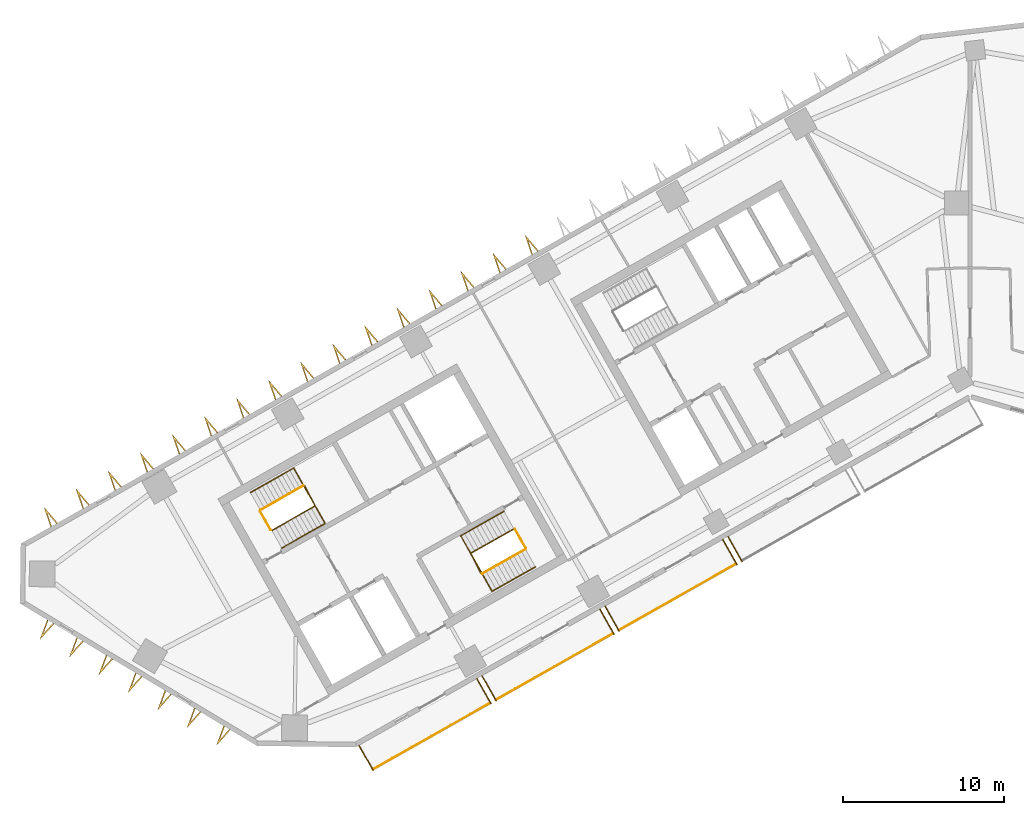
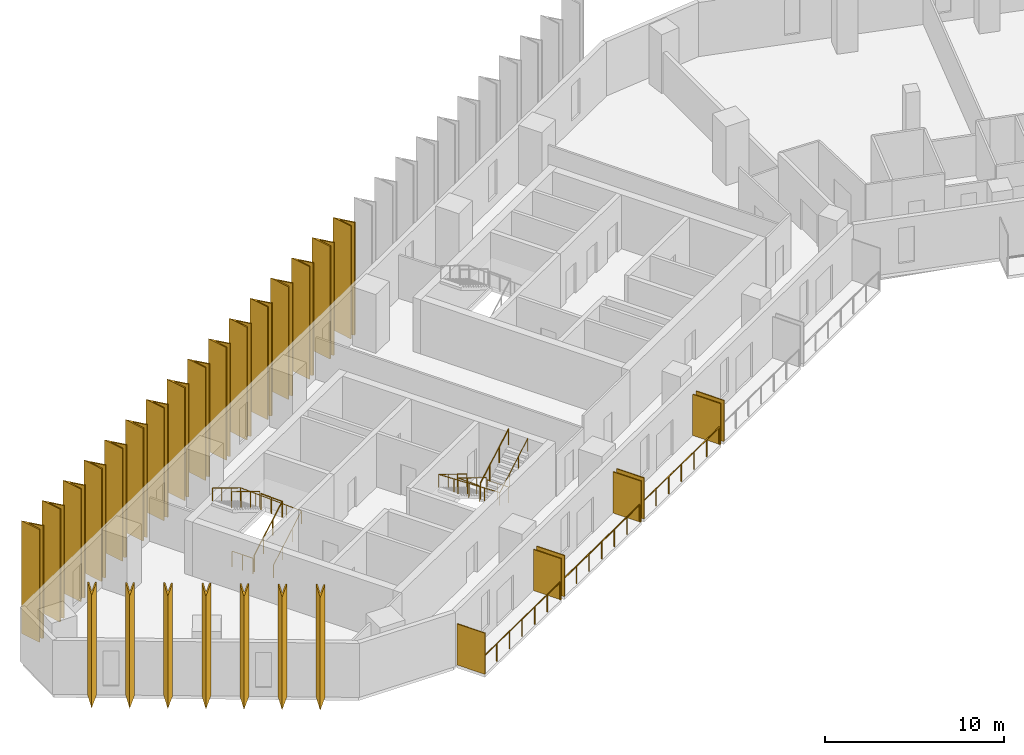
# One storey, part 8 of 10: 30 shading devices, 11 railings.
"""IFC4 building model written with IfcOpenShell, lengths in metres."""

from ifc_helpers import new_model, si_unit, direction, frame, origin, origin_2d, place, context, subcontext, project, spatial, polyline, rectangle, circle, outline, extrude, material, layer, layer_set, type_object, element, save


model = new_model("IFC4")

# Units and contexts
model_context = context("Model", 3, precision=1e-05, world=origin(), true_north=direction((0.0, 1.0)))
body_context = subcontext(model_context, "Body", "Model", "MODEL_VIEW")
ifc_project = project(units=[si_unit("LENGTHUNIT", "METRE"), si_unit("AREAUNIT", "SQUARE_METRE"), si_unit("VOLUMEUNIT", "CUBIC_METRE"), si_unit("PLANEANGLEUNIT", "RADIAN"), si_unit("MASSUNIT", "GRAM", prefix="KILO")], contexts=[model_context])

# Site, building, storey
site_placement = place(None, origin())
site = spatial("IfcSite", under=ifc_project, at=site_placement, CompositionType="ELEMENT")
building_placement = place(site_placement, origin())
building = spatial("IfcBuilding", under=site, at=building_placement, Name="Binnacle Exchange Tower", CompositionType="ELEMENT")
storey_placement = place(building_placement, frame((0.0, 0.0, 162.89990234375)))
storey = spatial("IfcBuildingStorey", under=building, at=storey_placement, Name="L34", CompositionType="ELEMENT", Elevation=162.89990234375)

# Railings
ifc_material_1 = material(Name="Bronze anodised aluminium frame", Category="aluminium")
railing_type_1 = type_object("IfcRailingType", Name="GUARD 1200", PredefinedType="GUARDRAIL", material=ifc_material_1)
railing_1_placement = place(storey_placement, frame((-36.994140625, 24.921142578125, 0.0)))
element("IfcRailing", 1, at=railing_1_placement, inside=storey, type_object=railing_type_1, Name="Balcony guard G01-B00 L34", PredefinedType="GUARDRAIL", context=body_context, shape_type="SweptSolid", body=[
    extrude(circle(Radius=0.02392578125, at=origin_2d()), frame((0.0, 0.0, 1.17578125), z_axis=(0.8703461643, 0.49244040684, 0.0), x_axis=(-0.49244040684, 0.8703461643, 0.0)), (0.0, 0.0, 1.0), 8.33447265625),
    extrude(circle(Radius=0.02099609375, at=origin_2d()), origin(), (0.0, 0.0, 1.0), 1.15185546875),
    extrude(circle(Radius=0.02099609375, at=origin_2d()), frame((1.208984375, 0.68408203125, 0.0)), (0.0, 0.0, 1.0), 1.15185546875),
    extrude(circle(Radius=0.02099609375, at=origin_2d()), frame((2.41796875, 1.3681640625, 0.0)), (0.0, 0.0, 1.0), 1.15185546875),
    extrude(circle(Radius=0.02099609375, at=origin_2d()), frame((3.626953125, 2.05224609375, 0.0)), (0.0, 0.0, 1.0), 1.15185546875),
    extrude(circle(Radius=0.02099609375, at=origin_2d()), frame((4.8359375, 2.736083984375, 0.0)), (0.0, 0.0, 1.0), 1.15185546875),
    extrude(circle(Radius=0.02099609375, at=origin_2d()), frame((6.044921875, 3.420166015625, 0.0)), (0.0, 0.0, 1.0), 1.15185546875),
    extrude(circle(Radius=0.02099609375, at=origin_2d()), frame((7.25390625, 4.104248046875, 0.0)), (0.0, 0.0, 1.0), 1.15185546875),
])
railing_2_placement = place(storey_placement, frame((-29.374755859375, 29.232177734375, 0.0)))
element("IfcRailing", 2, at=railing_2_placement, inside=storey, type_object=railing_type_1, Name="Balcony guard G01-B01 L34", PredefinedType="GUARDRAIL", context=body_context, shape_type="SweptSolid", body=[
    extrude(circle(Radius=0.02392578125, at=origin_2d()), frame((0.0, 0.0, 1.17578125), z_axis=(0.870365821494, 0.492405662818, 0.0), x_axis=(-0.492405662818, 0.870365821494, 0.0)), (0.0, 0.0, 1.0), 8.334716796875),
    extrude(circle(Radius=0.02099609375, at=origin_2d()), origin(), (0.0, 0.0, 1.0), 1.15185546875),
    extrude(circle(Radius=0.02099609375, at=origin_2d()), frame((1.208984375, 0.68408203125, 0.0)), (0.0, 0.0, 1.0), 1.15185546875),
    extrude(circle(Radius=0.02099609375, at=origin_2d()), frame((2.41796875, 1.367919921875, 0.0)), (0.0, 0.0, 1.0), 1.15185546875),
    extrude(circle(Radius=0.02099609375, at=origin_2d()), frame((3.626953125, 2.052001953125, 0.0)), (0.0, 0.0, 1.0), 1.15185546875),
    extrude(circle(Radius=0.02099609375, at=origin_2d()), frame((4.836181640625, 2.736083984375, 0.0)), (0.0, 0.0, 1.0), 1.15185546875),
    extrude(circle(Radius=0.02099609375, at=origin_2d()), frame((6.045166015625, 3.419921875, 0.0)), (0.0, 0.0, 1.0), 1.15185546875),
    extrude(circle(Radius=0.02099609375, at=origin_2d()), frame((7.254150390625, 4.10400390625, 0.0)), (0.0, 0.0, 1.0), 1.15185546875),
])
railing_3_placement = place(storey_placement, frame((-21.7548828125, 33.54296875, 0.0)))
element("IfcRailing", 3, at=railing_3_placement, inside=storey, type_object=railing_type_1, Name="Balcony guard G01-B02 L34", PredefinedType="GUARDRAIL", context=body_context, shape_type="SweptSolid", body=[
    extrude(circle(Radius=0.02392578125, at=origin_2d()), frame((0.0, 0.0, 1.17578125), z_axis=(0.870339060608, 0.492452961795, 0.0), x_axis=(-0.492452961795, 0.870339060608, 0.0)), (0.0, 0.0, 1.0), 8.334228515625),
    extrude(circle(Radius=0.02099609375, at=origin_2d()), origin(), (0.0, 0.0, 1.0), 1.15185546875),
    extrude(circle(Radius=0.02099609375, at=origin_2d()), frame((1.208984375, 0.68408203125, 0.0)), (0.0, 0.0, 1.0), 1.15185546875),
    extrude(circle(Radius=0.02099609375, at=origin_2d()), frame((2.41796875, 1.3681640625, 0.0)), (0.0, 0.0, 1.0), 1.15185546875),
    extrude(circle(Radius=0.02099609375, at=origin_2d()), frame((3.626953125, 2.05224609375, 0.0)), (0.0, 0.0, 1.0), 1.15185546875),
    extrude(circle(Radius=0.02099609375, at=origin_2d()), frame((4.835693359375, 2.736083984375, 0.0)), (0.0, 0.0, 1.0), 1.15185546875),
    extrude(circle(Radius=0.02099609375, at=origin_2d()), frame((6.044677734375, 3.420166015625, 0.0)), (0.0, 0.0, 1.0), 1.15185546875),
    extrude(circle(Radius=0.02099609375, at=origin_2d()), frame((7.253662109375, 4.104248046875, 0.0)), (0.0, 0.0, 1.0), 1.15185546875),
])

# Shading devices
ifc_material_2 = material(Name="Bronze aluminium louvre", Category="aluminium")
ifc_layer = layer(ifc_material_2, 0.06005859375)
ifc_layer_set = layer_set([ifc_layer], Name="PLANTED SCREEN 60x2800")
shading_device_type_1 = type_object("IfcShadingDeviceType", Name="PLANTED SCREEN 60x2800", PredefinedType="USERDEFINED", material=ifc_layer_set)
for number, where, z_axis, x_axis, name in (
    (4, (-37.424072265625, 25.6201171875, 0.0), (0.0, 0.0, 1.0), (0.87035569594, 0.492423560103, 0.0), "Planted screen G01-B00a L34"),
    (5, (-30.117919921875, 29.753662109375, 0.0), (0.0, 0.0, 1.0), (0.87035569594, 0.492423560103, 0.0), "Planted screen G01-B00b L34"),
    (6, (-29.8046875, 29.930908203125, 0.0), (0.0, 0.0, 1.0), (0.87035569594, 0.492423560103, 0.0), "Planted screen G01-B01a L34"),
    (7, (-22.498291015625, 34.064697265625, 0.0), (0.0, 0.0, 1.0), (0.87035569594, 0.492423560103, 0.0), "Planted screen G01-B01b L34"),
    (8, (-22.184814453125, 34.241943359375, 0.0), (0.0, 0.0, 1.0), (0.87035569594, 0.492423560103, 0.0), "Planted screen G01-B02a L34"),
    (9, (-14.878662109375, 38.37548828125, 0.0), (0.0, 0.0, 1.0), (0.87035569594, 0.492423560103, 0.0), "Planted screen G01-B02b L34"),
    (10, (-14.5654296875, 38.552978515625, 0.0), (0.0, 0.0, 1.0), (0.87035569594, 0.492423560103, 0.0), "Planted screen G01-B03a L34"),
):
    element("IfcShadingDevice", number, at=place(storey_placement, frame(where, z_axis=z_axis, x_axis=x_axis)), inside=storey, type_object=shading_device_type_1, Name=name, ObjectType="SCREEN", PredefinedType="USERDEFINED", context=body_context, shape_type="SweptSolid", body=[
        extrude(rectangle(XDim=0.06005859375, YDim=1.800048828125, at=origin_2d()), origin(), (0.0, 0.0, 1.0), 2.800048828125),
    ])

# Railings
ifc_material_3 = material(Name="Steel guard rail", Category="steel")
railing_type_2 = type_object("IfcRailingType", Name="STAIR GUARD 1100", PredefinedType="GUARDRAIL", material=ifc_material_3)
railing_4_placement = place(storey_placement, frame((-43.26171875, 39.71728515625, 0.166748046875)))
element("IfcRailing", 11, at=railing_4_placement, inside=storey, type_object=railing_type_2, Name="L34 STA1 stair guard 1", PredefinedType="GUARDRAIL", context=body_context, shape_type="SweptSolid", body=[
    extrude(circle(Radius=0.02392578125, at=origin_2d()), frame((0.0, 0.0, 1.076171875), z_axis=(0.747900833971, 0.423129324283, 0.511474258861), x_axis=(-0.492412445098, 0.870361984414, 0.0)), (0.0, 0.0, 1.0), 3.584228515625),
    extrude(circle(Radius=0.02392578125, at=origin_2d()), frame((2.6806640625, 1.5166015625, 2.9091796875), z_axis=(-0.461100321709, 0.887348011391, 0.0), x_axis=(-0.887348011391, -0.461100321709, 0.0)), (0.0, 0.0, 1.0), 1.40087890625),
    extrude(circle(Radius=0.02099609375, at=origin_2d()), origin(), (0.0, 0.0, 1.0), 1.052001953125),
    extrude(circle(Radius=0.02099609375, at=origin_2d()), frame((0.8935546875, 0.505615234375, 0.611083984375)), (0.0, 0.0, 1.0), 1.052001953125),
    extrude(circle(Radius=0.02099609375, at=origin_2d()), frame((1.787109375, 1.010986328125, 1.22216796875)), (0.0, 0.0, 1.0), 1.052001953125),
    extrude(circle(Radius=0.02099609375, at=origin_2d()), frame((2.6806640625, 1.5166015625, 1.833251953125)), (0.0, 0.0, 1.0), 1.052001953125),
    extrude(circle(Radius=0.02099609375, at=origin_2d()), frame((2.357666015625, 2.13818359375, 1.833251953125)), (0.0, 0.0, 1.0), 1.052001953125),
    extrude(circle(Radius=0.02099609375, at=origin_2d()), frame((2.03466796875, 2.759765625, 1.833251953125)), (0.0, 0.0, 1.0), 1.052001953125),
])
railing_5_placement = place(storey_placement, frame((-41.295166015625, 42.49609375, 2.166748046875)))
element("IfcRailing", 12, at=railing_5_placement, inside=storey, type_object=railing_type_2, Name="L34 STA1 stair guard 2", PredefinedType="GUARDRAIL", context=body_context, shape_type="SweptSolid", body=[
    extrude(circle(Radius=0.02392578125, at=origin_2d()), frame((0.0, 0.0, 1.076171875), z_axis=(-0.747879277632, -0.423185241524, 0.511459516916), x_axis=(0.492472489424, -0.870328011247, 0.0)), (0.0, 0.0, 1.0), 3.58447265625),
    extrude(circle(Radius=0.02099609375, at=origin_2d()), origin(), (0.0, 0.0, 1.0), 1.052001953125),
    extrude(circle(Radius=0.02099609375, at=origin_2d()), frame((-0.8935546875, -0.505615234375, 0.611083984375)), (0.0, 0.0, 1.0), 1.052001953125),
    extrude(circle(Radius=0.02099609375, at=origin_2d()), frame((-1.787109375, -1.01123046875, 1.22216796875)), (0.0, 0.0, 1.0), 1.052001953125),
    extrude(circle(Radius=0.02099609375, at=origin_2d()), frame((-2.6806640625, -1.516845703125, 1.833251953125)), (0.0, 0.0, 1.0), 1.052001953125),
])
railing_6_placement = place(storey_placement, frame((-43.329833984375, 39.736328125, 0.0)))
element("IfcRailing", 13, at=railing_6_placement, inside=storey, type_object=railing_type_2, Name="L34 STA1 stair guard 3", PredefinedType="GUARDRAIL", context=body_context, shape_type="SweptSolid", body=[
    extrude(circle(Radius=0.02392578125, at=origin_2d()), frame((0.0, 0.0, 1.076171875), z_axis=(-0.4924922531, 0.870316827734, 0.0), x_axis=(-0.870316827734, -0.4924922531, 0.0)), (0.0, 0.0, 1.0), 1.349853515625),
    extrude(circle(Radius=0.02099609375, at=origin_2d()), origin(), (0.0, 0.0, 1.0), 1.052001953125),
    extrude(circle(Radius=0.02099609375, at=origin_2d()), frame((-0.33251953125, 0.58740234375, 0.0)), (0.0, 0.0, 1.0), 1.052001953125),
    extrude(circle(Radius=0.02099609375, at=origin_2d()), frame((-0.664794921875, 1.1748046875, 0.0)), (0.0, 0.0, 1.0), 1.052001953125),
])
railing_7_placement = place(storey_placement, frame((-28.265380859375, 39.814453125, 0.166748046875)))
element("IfcRailing", 14, at=railing_7_placement, inside=storey, type_object=railing_type_2, Name="L34 STA2 stair guard 1", PredefinedType="GUARDRAIL", context=body_context, shape_type="SweptSolid", body=[
    extrude(circle(Radius=0.02392578125, at=origin_2d()), frame((0.0, 0.0, 1.076171875), z_axis=(-0.747900833971, -0.423129324283, 0.511474258861), x_axis=(0.492412445098, -0.870361984414, 0.0)), (0.0, 0.0, 1.0), 3.584228515625),
    extrude(circle(Radius=0.02392578125, at=origin_2d()), frame((-2.6806640625, -1.5166015625, 2.9091796875), z_axis=(0.460963092712, -0.887419307406, 0.0), x_axis=(0.887419307406, 0.460963092712, 0.0)), (0.0, 0.0, 1.0), 1.40087890625),
    extrude(circle(Radius=0.02099609375, at=origin_2d()), origin(), (0.0, 0.0, 1.0), 1.052001953125),
    extrude(circle(Radius=0.02099609375, at=origin_2d()), frame((-0.8935546875, -0.505615234375, 0.611083984375)), (0.0, 0.0, 1.0), 1.052001953125),
    extrude(circle(Radius=0.02099609375, at=origin_2d()), frame((-1.787109375, -1.010986328125, 1.22216796875)), (0.0, 0.0, 1.0), 1.052001953125),
    extrude(circle(Radius=0.02099609375, at=origin_2d()), frame((-2.6806640625, -1.5166015625, 1.833251953125)), (0.0, 0.0, 1.0), 1.052001953125),
    extrude(circle(Radius=0.02099609375, at=origin_2d()), frame((-2.35791015625, -2.13818359375, 1.833251953125)), (0.0, 0.0, 1.0), 1.052001953125),
    extrude(circle(Radius=0.02099609375, at=origin_2d()), frame((-2.034912109375, -2.759765625, 1.833251953125)), (0.0, 0.0, 1.0), 1.052001953125),
])
railing_8_placement = place(storey_placement, frame((-30.232177734375, 37.035888671875, 2.166748046875)))
element("IfcRailing", 15, at=railing_8_placement, inside=storey, type_object=railing_type_2, Name="L34 STA2 stair guard 2", PredefinedType="GUARDRAIL", context=body_context, shape_type="SweptSolid", body=[
    extrude(circle(Radius=0.02392578125, at=origin_2d()), frame((0.0, 0.0, 1.076171875), z_axis=(0.747900833971, 0.423129324283, 0.511474258861), x_axis=(-0.492412445098, 0.870361984414, 0.0)), (0.0, 0.0, 1.0), 3.584228515625),
    extrude(circle(Radius=0.02099609375, at=origin_2d()), origin(), (0.0, 0.0, 1.0), 1.052001953125),
    extrude(circle(Radius=0.02099609375, at=origin_2d()), frame((0.8935546875, 0.505615234375, 0.611083984375)), (0.0, 0.0, 1.0), 1.052001953125),
    extrude(circle(Radius=0.02099609375, at=origin_2d()), frame((1.787109375, 1.010986328125, 1.22216796875)), (0.0, 0.0, 1.0), 1.052001953125),
    extrude(circle(Radius=0.02099609375, at=origin_2d()), frame((2.6806640625, 1.5166015625, 1.833251953125)), (0.0, 0.0, 1.0), 1.052001953125),
])
railing_9_placement = place(storey_placement, frame((-28.197265625, 39.795654296875, 0.0)))
element("IfcRailing", 16, at=railing_9_placement, inside=storey, type_object=railing_type_2, Name="L34 STA2 stair guard 3", PredefinedType="GUARDRAIL", context=body_context, shape_type="SweptSolid", body=[
    extrude(circle(Radius=0.02392578125, at=origin_2d()), frame((0.0, 0.0, 1.076171875), z_axis=(0.49241474071, -0.870360685654, 0.0), x_axis=(0.870360685654, 0.49241474071, 0.0)), (0.0, 0.0, 1.0), 1.35009765625),
    extrude(circle(Radius=0.02099609375, at=origin_2d()), origin(), (0.0, 0.0, 1.0), 1.052001953125),
    extrude(circle(Radius=0.02099609375, at=origin_2d()), frame((0.33251953125, -0.58740234375, 0.0)), (0.0, 0.0, 1.0), 1.052001953125),
    extrude(circle(Radius=0.02099609375, at=origin_2d()), frame((0.664794921875, -1.175048828125, 0.0)), (0.0, 0.0, 1.0), 1.052001953125),
])
ifc_material_4 = material(Name="Steel handrail", Category="steel")
railing_type_3 = type_object("IfcRailingType", Name="STAIR HANDRAIL 900", PredefinedType="HANDRAIL", material=ifc_material_4)
railing_10_placement = place(storey_placement, frame((-42.646240234375, 38.62939453125, 0.166748046875)))
element("IfcRailing", 17, at=railing_10_placement, inside=storey, type_object=railing_type_3, Name="L34 STA1 stair handrail 1", PredefinedType="HANDRAIL", context=body_context, shape_type="SweptSolid", body=[
    extrude(circle(Radius=0.02392578125, at=origin_2d()), frame((0.0, 0.0, 0.8759765625), z_axis=(0.747900833971, 0.423129324283, 0.511474258861), x_axis=(-0.492412445098, 0.870361984414, 0.0)), (0.0, 0.0, 1.0), 3.584228515625),
    extrude(circle(Radius=0.02392578125, at=origin_2d()), frame((2.6806640625, 1.5166015625, 2.708984375), z_axis=(-0.491975462752, 0.869586854082, 0.042176382711), x_axis=(-0.870361318571, -0.492413622004, 0.0)), (0.0, 0.0, 1.0), 3.95361328125),
    extrude(circle(Radius=0.02392578125, at=origin_2d()), frame((0.735595703125, 4.95458984375, 2.8759765625), z_axis=(-0.747900833971, -0.423129324283, 0.511474258861), x_axis=(0.492412445098, -0.870361984414, 0.0)), (0.0, 0.0, 1.0), 3.584228515625),
    extrude(circle(Radius=0.02099609375, at=origin_2d()), origin(), (0.0, 0.0, 1.0), 0.851806640625),
    extrude(circle(Radius=0.02099609375, at=origin_2d()), frame((0.8935546875, 0.505615234375, 0.611083984375)), (0.0, 0.0, 1.0), 0.851806640625),
    extrude(circle(Radius=0.02099609375, at=origin_2d()), frame((1.787109375, 1.010986328125, 1.22216796875)), (0.0, 0.0, 1.0), 0.851806640625),
    extrude(circle(Radius=0.02099609375, at=origin_2d()), frame((2.6806640625, 1.5166015625, 1.833251953125)), (0.0, 0.0, 1.0), 0.851806640625),
    extrude(circle(Radius=0.02099609375, at=origin_2d()), frame((2.1943359375, 2.3759765625, 1.875)), (0.0, 0.0, 1.0), 0.851806640625),
    extrude(circle(Radius=0.02099609375, at=origin_2d()), frame((1.7080078125, 3.235595703125, 1.91650390625)), (0.0, 0.0, 1.0), 0.851806640625),
    extrude(circle(Radius=0.02099609375, at=origin_2d()), frame((1.221923828125, 4.09521484375, 1.958251953125)), (0.0, 0.0, 1.0), 0.851806640625),
    extrude(circle(Radius=0.02099609375, at=origin_2d()), frame((0.735595703125, 4.95458984375, 2.0)), (0.0, 0.0, 1.0), 0.851806640625),
    extrude(circle(Radius=0.02099609375, at=origin_2d()), frame((-0.157958984375, 4.448974609375, 2.611083984375)), (0.0, 0.0, 1.0), 0.851806640625),
    extrude(circle(Radius=0.02099609375, at=origin_2d()), frame((-1.051513671875, 3.943603515625, 3.22216796875)), (0.0, 0.0, 1.0), 0.851806640625),
    extrude(circle(Radius=0.02099609375, at=origin_2d()), frame((-1.945068359375, 3.43798828125, 3.833251953125)), (0.0, 0.0, 1.0), 0.851806640625),
])
railing_11_placement = place(storey_placement, frame((-28.880859375, 40.90234375, 0.166748046875)))
element("IfcRailing", 18, at=railing_11_placement, inside=storey, type_object=railing_type_3, Name="L34 STA2 stair handrail 1", PredefinedType="HANDRAIL", context=body_context, shape_type="SweptSolid", body=[
    extrude(circle(Radius=0.02392578125, at=origin_2d()), frame((0.0, 0.0, 0.8759765625), z_axis=(-0.747930846092, -0.423107769413, 0.511448203561), x_axis=(0.492378474645, -0.870381202524, 0.0)), (0.0, 0.0, 1.0), 3.58447265625),
    extrude(circle(Radius=0.02392578125, at=origin_2d()), frame((-2.680908203125, -1.5166015625, 2.708984375), z_axis=(0.491975462752, -0.869586854082, 0.042176382711), x_axis=(0.870361318571, 0.492413622004, 0.0)), (0.0, 0.0, 1.0), 3.95361328125),
    extrude(circle(Radius=0.02392578125, at=origin_2d()), frame((-0.73583984375, -4.95458984375, 2.8759765625), z_axis=(0.747909291085, 0.423163685048, 0.51143346387), x_axis=(-0.49243851748, 0.870347233294, 0.0)), (0.0, 0.0, 1.0), 3.58447265625),
    extrude(circle(Radius=0.02099609375, at=origin_2d()), origin(), (0.0, 0.0, 1.0), 0.851806640625),
    extrude(circle(Radius=0.02099609375, at=origin_2d()), frame((-0.8935546875, -0.505615234375, 0.611083984375)), (0.0, 0.0, 1.0), 0.851806640625),
    extrude(circle(Radius=0.02099609375, at=origin_2d()), frame((-1.787353515625, -1.010986328125, 1.22216796875)), (0.0, 0.0, 1.0), 0.851806640625),
    extrude(circle(Radius=0.02099609375, at=origin_2d()), frame((-2.680908203125, -1.5166015625, 1.833251953125)), (0.0, 0.0, 1.0), 0.851806640625),
    extrude(circle(Radius=0.02099609375, at=origin_2d()), frame((-2.194580078125, -2.3759765625, 1.875)), (0.0, 0.0, 1.0), 0.851806640625),
    extrude(circle(Radius=0.02099609375, at=origin_2d()), frame((-1.70849609375, -3.235595703125, 1.91650390625)), (0.0, 0.0, 1.0), 0.851806640625),
    extrude(circle(Radius=0.02099609375, at=origin_2d()), frame((-1.22216796875, -4.09521484375, 1.958251953125)), (0.0, 0.0, 1.0), 0.851806640625),
    extrude(circle(Radius=0.02099609375, at=origin_2d()), frame((-0.73583984375, -4.95458984375, 2.0)), (0.0, 0.0, 1.0), 0.851806640625),
    extrude(circle(Radius=0.02099609375, at=origin_2d()), frame((0.15771484375, -4.448974609375, 2.611083984375)), (0.0, 0.0, 1.0), 0.851806640625),
    extrude(circle(Radius=0.02099609375, at=origin_2d()), frame((1.051513671875, -3.943359375, 3.22216796875)), (0.0, 0.0, 1.0), 0.851806640625),
    extrude(circle(Radius=0.02099609375, at=origin_2d()), frame((1.945068359375, -3.437744140625, 3.833251953125)), (0.0, 0.0, 1.0), 0.851806640625),
])

# Shading devices
ifc_material_5 = material(Name="Bronze aluminium cladding", Category="aluminium")
shading_device_type_2 = type_object("IfcShadingDeviceType", Name="V FIN 1300 DEEP x 7680 HIGH", PredefinedType="USERDEFINED", material=ifc_material_5)
shading_device_1_placement = place(storey_placement, origin())
element("IfcShadingDevice", 19, at=shading_device_1_placement, inside=storey, type_object=shading_device_type_2, Name="V fin FN-G08-12 L34", ObjectType="FIN", PredefinedType="USERDEFINED", context=body_context, shape_type="SweptSolid", body=[
    extrude(outline(polyline([(-26.7412109375, 57.04296875), (-27.59912109375, 58.05126953125), (-27.176513671875, 56.796630859375), (-27.10546875, 56.8369140625), (-27.390380859375, 57.6826171875), (-26.81201171875, 57.002685546875), (-26.7412109375, 57.04296875)])), origin(), (0.0, 0.0, 1.0), 7.68017578125),
])
shading_device_2_placement = place(storey_placement, origin())
element("IfcShadingDevice", 20, at=shading_device_2_placement, inside=storey, type_object=shading_device_type_2, Name="V fin FN-G08-13 L34", ObjectType="FIN", PredefinedType="USERDEFINED", context=body_context, shape_type="SweptSolid", body=[
    extrude(outline(polyline([(-28.727783203125, 55.9189453125), (-29.58544921875, 56.92724609375), (-29.162841796875, 55.672607421875), (-29.092041015625, 55.712890625), (-29.376708984375, 56.55859375), (-28.798583984375, 55.87890625), (-28.727783203125, 55.9189453125)])), origin(), (0.0, 0.0, 1.0), 7.68017578125),
])
shading_device_3_placement = place(storey_placement, origin())
element("IfcShadingDevice", 21, at=shading_device_3_placement, inside=storey, type_object=shading_device_type_2, Name="V fin FN-G08-14 L34", ObjectType="FIN", PredefinedType="USERDEFINED", context=body_context, shape_type="SweptSolid", body=[
    extrude(outline(polyline([(-30.71435546875, 54.794921875), (-31.572021484375, 55.803466796875), (-31.1494140625, 54.548828125), (-31.07861328125, 54.5888671875), (-31.36328125, 55.434814453125), (-30.78515625, 54.7548828125), (-30.71435546875, 54.794921875)])), origin(), (0.0, 0.0, 1.0), 7.68017578125),
])
shading_device_4_placement = place(storey_placement, origin())
element("IfcShadingDevice", 22, at=shading_device_4_placement, inside=storey, type_object=shading_device_type_2, Name="V fin FN-G08-15 L34", ObjectType="FIN", PredefinedType="USERDEFINED", context=body_context, shape_type="SweptSolid", body=[
    extrude(outline(polyline([(-32.70068359375, 53.6708984375), (-33.55859375, 54.679443359375), (-33.135986328125, 53.4248046875), (-33.065185546875, 53.46484375), (-33.349853515625, 54.310791015625), (-32.771728515625, 53.630859375), (-32.70068359375, 53.6708984375)])), origin(), (0.0, 0.0, 1.0), 7.68017578125),
])
shading_device_5_placement = place(storey_placement, origin())
element("IfcShadingDevice", 23, at=shading_device_5_placement, inside=storey, type_object=shading_device_type_2, Name="V fin FN-G08-16 L34", ObjectType="FIN", PredefinedType="USERDEFINED", context=body_context, shape_type="SweptSolid", body=[
    extrude(outline(polyline([(-34.687255859375, 52.547119140625), (-35.545166015625, 53.555419921875), (-35.12255859375, 52.30078125), (-35.051513671875, 52.341064453125), (-35.33642578125, 53.186767578125), (-34.75830078125, 52.507080078125), (-34.687255859375, 52.547119140625)])), origin(), (0.0, 0.0, 1.0), 7.68017578125),
])
shading_device_6_placement = place(storey_placement, origin())
element("IfcShadingDevice", 24, at=shading_device_6_placement, inside=storey, type_object=shading_device_type_2, Name="V fin FN-G08-17 L34", ObjectType="FIN", PredefinedType="USERDEFINED", context=body_context, shape_type="SweptSolid", body=[
    extrude(outline(polyline([(-36.673828125, 51.423095703125), (-37.53173828125, 52.431640625), (-37.109130859375, 51.177001953125), (-37.0380859375, 51.217041015625), (-37.322998046875, 52.06298828125), (-36.744873046875, 51.383056640625), (-36.673828125, 51.423095703125)])), origin(), (0.0, 0.0, 1.0), 7.68017578125),
])
shading_device_7_placement = place(storey_placement, origin())
element("IfcShadingDevice", 25, at=shading_device_7_placement, inside=storey, type_object=shading_device_type_2, Name="V fin FN-G08-18 L34", ObjectType="FIN", PredefinedType="USERDEFINED", context=body_context, shape_type="SweptSolid", body=[
    extrude(outline(polyline([(-38.660400390625, 50.29931640625), (-39.518310546875, 51.3076171875), (-39.095703125, 50.052978515625), (-39.02490234375, 50.093017578125), (-39.3095703125, 50.93896484375), (-38.7314453125, 50.259033203125), (-38.660400390625, 50.29931640625)])), origin(), (0.0, 0.0, 1.0), 7.68017578125),
])
shading_device_8_placement = place(storey_placement, origin())
element("IfcShadingDevice", 26, at=shading_device_8_placement, inside=storey, type_object=shading_device_type_2, Name="V fin FN-G08-19 L34", ObjectType="FIN", PredefinedType="USERDEFINED", context=body_context, shape_type="SweptSolid", body=[
    extrude(outline(polyline([(-40.64697265625, 49.17529296875), (-41.5048828125, 50.18359375), (-41.082275390625, 48.92919921875), (-41.01123046875, 48.96923828125), (-41.296142578125, 49.81494140625), (-40.718017578125, 49.13525390625), (-40.64697265625, 49.17529296875)])), origin(), (0.0, 0.0, 1.0), 7.68017578125),
])
shading_device_9_placement = place(storey_placement, origin())
element("IfcShadingDevice", 27, at=shading_device_9_placement, inside=storey, type_object=shading_device_type_2, Name="V fin FN-G08-20 L34", ObjectType="FIN", PredefinedType="USERDEFINED", context=body_context, shape_type="SweptSolid", body=[
    extrude(outline(polyline([(-42.633544921875, 48.05126953125), (-43.491455078125, 49.059814453125), (-43.06884765625, 47.80517578125), (-42.997802734375, 47.84521484375), (-43.28271484375, 48.69091796875), (-42.70458984375, 48.01123046875), (-42.633544921875, 48.05126953125)])), origin(), (0.0, 0.0, 1.0), 7.68017578125),
])
shading_device_10_placement = place(storey_placement, origin())
element("IfcShadingDevice", 28, at=shading_device_10_placement, inside=storey, type_object=shading_device_type_2, Name="V fin FN-G08-21 L34", ObjectType="FIN", PredefinedType="USERDEFINED", context=body_context, shape_type="SweptSolid", body=[
    extrude(outline(polyline([(-44.6201171875, 46.927490234375), (-45.47802734375, 47.935791015625), (-45.055419921875, 46.68115234375), (-44.984619140625, 46.72119140625), (-45.269287109375, 47.567138671875), (-44.691162109375, 46.88720703125), (-44.6201171875, 46.927490234375)])), origin(), (0.0, 0.0, 1.0), 7.68017578125),
])
shading_device_11_placement = place(storey_placement, origin())
element("IfcShadingDevice", 29, at=shading_device_11_placement, inside=storey, type_object=shading_device_type_2, Name="V fin FN-G08-22 L34", ObjectType="FIN", PredefinedType="USERDEFINED", context=body_context, shape_type="SweptSolid", body=[
    extrude(outline(polyline([(-46.606689453125, 45.803466796875), (-47.464599609375, 46.81201171875), (-47.0419921875, 45.557373046875), (-46.970947265625, 45.597412109375), (-47.255859375, 46.443115234375), (-46.677490234375, 45.763427734375), (-46.606689453125, 45.803466796875)])), origin(), (0.0, 0.0, 1.0), 7.68017578125),
])
shading_device_12_placement = place(storey_placement, origin())
element("IfcShadingDevice", 30, at=shading_device_12_placement, inside=storey, type_object=shading_device_type_2, Name="V fin FN-G08-23 L34", ObjectType="FIN", PredefinedType="USERDEFINED", context=body_context, shape_type="SweptSolid", body=[
    extrude(outline(polyline([(-48.59326171875, 44.679443359375), (-49.451171875, 45.68798828125), (-49.028564453125, 44.433349609375), (-48.95751953125, 44.473388671875), (-49.242431640625, 45.319091796875), (-48.664306640625, 44.639404296875), (-48.59326171875, 44.679443359375)])), origin(), (0.0, 0.0, 1.0), 7.68017578125),
])
shading_device_13_placement = place(storey_placement, origin())
element("IfcShadingDevice", 31, at=shading_device_13_placement, inside=storey, type_object=shading_device_type_2, Name="V fin FN-G08-24 L34", ObjectType="FIN", PredefinedType="USERDEFINED", context=body_context, shape_type="SweptSolid", body=[
    extrude(outline(polyline([(-50.579833984375, 43.5556640625), (-51.4375, 44.56396484375), (-51.014892578125, 43.309326171875), (-50.944091796875, 43.349609375), (-51.22900390625, 44.1953125), (-50.650634765625, 43.515380859375), (-50.579833984375, 43.5556640625)])), origin(), (0.0, 0.0, 1.0), 7.68017578125),
])
shading_device_14_placement = place(storey_placement, origin())
element("IfcShadingDevice", 32, at=shading_device_14_placement, inside=storey, type_object=shading_device_type_2, Name="V fin FN-G08-25 L34", ObjectType="FIN", PredefinedType="USERDEFINED", context=body_context, shape_type="SweptSolid", body=[
    extrude(outline(polyline([(-52.56640625, 42.431640625), (-53.42431640625, 43.440185546875), (-53.001708984375, 42.185546875), (-52.9306640625, 42.2255859375), (-53.215576171875, 43.0712890625), (-52.63720703125, 42.3916015625), (-52.56640625, 42.431640625)])), origin(), (0.0, 0.0, 1.0), 7.68017578125),
])
shading_device_15_placement = place(storey_placement, origin())
element("IfcShadingDevice", 33, at=shading_device_15_placement, inside=storey, type_object=shading_device_type_2, Name="V fin FN-G08-26 L34", ObjectType="FIN", PredefinedType="USERDEFINED", context=body_context, shape_type="SweptSolid", body=[
    extrude(outline(polyline([(-54.552978515625, 41.3076171875), (-55.410888671875, 42.316162109375), (-54.98828125, 41.0615234375), (-54.917236328125, 41.1015625), (-55.2021484375, 41.947509765625), (-54.623779296875, 41.267578125), (-54.552978515625, 41.3076171875)])), origin(), (0.0, 0.0, 1.0), 7.68017578125),
])
shading_device_16_placement = place(storey_placement, origin())
element("IfcShadingDevice", 34, at=shading_device_16_placement, inside=storey, type_object=shading_device_type_2, Name="V fin FN-G08-27 L34", ObjectType="FIN", PredefinedType="USERDEFINED", context=body_context, shape_type="SweptSolid", body=[
    extrude(outline(polyline([(-56.53955078125, 40.183837890625), (-57.397216796875, 41.192138671875), (-56.974609375, 39.9375), (-56.90380859375, 39.977783203125), (-57.188720703125, 40.823486328125), (-56.6103515625, 40.143798828125), (-56.53955078125, 40.183837890625)])), origin(), (0.0, 0.0, 1.0), 7.68017578125),
])
shading_device_17_placement = place(storey_placement, origin())
element("IfcShadingDevice", 35, at=shading_device_17_placement, inside=storey, type_object=shading_device_type_2, Name="V fin FN-G10-01 L34", ObjectType="FIN", PredefinedType="USERDEFINED", context=body_context, shape_type="SweptSolid", body=[
    extrude(outline(polyline([(-57.18603515625, 34.185791015625), (-57.641357421875, 32.94287109375), (-56.757568359375, 33.92822265625), (-56.827392578125, 33.97021484375), (-57.423095703125, 33.305908203125), (-57.1162109375, 34.143798828125), (-57.18603515625, 34.185791015625)])), origin(), (0.0, 0.0, 1.0), 7.68017578125),
])
shading_device_18_placement = place(storey_placement, origin())
element("IfcShadingDevice", 36, at=shading_device_18_placement, inside=storey, type_object=shading_device_type_2, Name="V fin FN-G10-02 L34", ObjectType="FIN", PredefinedType="USERDEFINED", context=body_context, shape_type="SweptSolid", body=[
    extrude(outline(polyline([(-55.364501953125, 33.09130859375), (-55.81982421875, 31.848388671875), (-54.93603515625, 32.833740234375), (-55.005859375, 32.875732421875), (-55.601806640625, 32.21142578125), (-55.294921875, 33.04931640625), (-55.364501953125, 33.09130859375)])), origin(), (0.0, 0.0, 1.0), 7.68017578125),
])
shading_device_19_placement = place(storey_placement, origin())
element("IfcShadingDevice", 37, at=shading_device_19_placement, inside=storey, type_object=shading_device_type_2, Name="V fin FN-G10-03 L34", ObjectType="FIN", PredefinedType="USERDEFINED", context=body_context, shape_type="SweptSolid", body=[
    extrude(outline(polyline([(-53.543212890625, 31.9970703125), (-53.998291015625, 30.75390625), (-53.114501953125, 31.739501953125), (-53.184326171875, 31.781494140625), (-53.7802734375, 31.116943359375), (-53.473388671875, 31.955078125), (-53.543212890625, 31.9970703125)])), origin(), (0.0, 0.0, 1.0), 7.68017578125),
])
shading_device_20_placement = place(storey_placement, origin())
element("IfcShadingDevice", 38, at=shading_device_20_placement, inside=storey, type_object=shading_device_type_2, Name="V fin FN-G10-04 L34", ObjectType="FIN", PredefinedType="USERDEFINED", context=body_context, shape_type="SweptSolid", body=[
    extrude(outline(polyline([(-51.7216796875, 30.902587890625), (-52.1767578125, 29.659423828125), (-51.29296875, 30.64501953125), (-51.36279296875, 30.68701171875), (-51.958740234375, 30.0224609375), (-51.65185546875, 30.860595703125), (-51.7216796875, 30.902587890625)])), origin(), (0.0, 0.0, 1.0), 7.68017578125),
])
shading_device_21_placement = place(storey_placement, origin())
element("IfcShadingDevice", 39, at=shading_device_21_placement, inside=storey, type_object=shading_device_type_2, Name="V fin FN-G10-05 L34", ObjectType="FIN", PredefinedType="USERDEFINED", context=body_context, shape_type="SweptSolid", body=[
    extrude(outline(polyline([(-49.900146484375, 29.80810546875), (-50.35546875, 28.56494140625), (-49.4716796875, 29.55029296875), (-49.54150390625, 29.59228515625), (-50.13720703125, 28.927978515625), (-49.830322265625, 29.76611328125), (-49.900146484375, 29.80810546875)])), origin(), (0.0, 0.0, 1.0), 7.68017578125),
])
shading_device_22_placement = place(storey_placement, origin())
element("IfcShadingDevice", 40, at=shading_device_22_placement, inside=storey, type_object=shading_device_type_2, Name="V fin FN-G10-06 L34", ObjectType="FIN", PredefinedType="USERDEFINED", context=body_context, shape_type="SweptSolid", body=[
    extrude(outline(polyline([(-48.07861328125, 28.713623046875), (-48.533935546875, 27.470458984375), (-47.650146484375, 28.4560546875), (-47.719970703125, 28.498046875), (-48.31591796875, 27.83349609375), (-48.0087890625, 28.671630859375), (-48.07861328125, 28.713623046875)])), origin(), (0.0, 0.0, 1.0), 7.68017578125),
])
shading_device_23_placement = place(storey_placement, origin())
element("IfcShadingDevice", 41, at=shading_device_23_placement, inside=storey, type_object=shading_device_type_2, Name="V fin FN-G10-07 L34", ObjectType="FIN", PredefinedType="USERDEFINED", context=body_context, shape_type="SweptSolid", body=[
    extrude(outline(polyline([(-46.257080078125, 27.619140625), (-46.71240234375, 26.3759765625), (-45.82861328125, 27.361572265625), (-45.8984375, 27.403564453125), (-46.494384765625, 26.739013671875), (-46.1875, 27.5771484375), (-46.257080078125, 27.619140625)])), origin(), (0.0, 0.0, 1.0), 7.68017578125),
])

save(model, "model.ifc")
